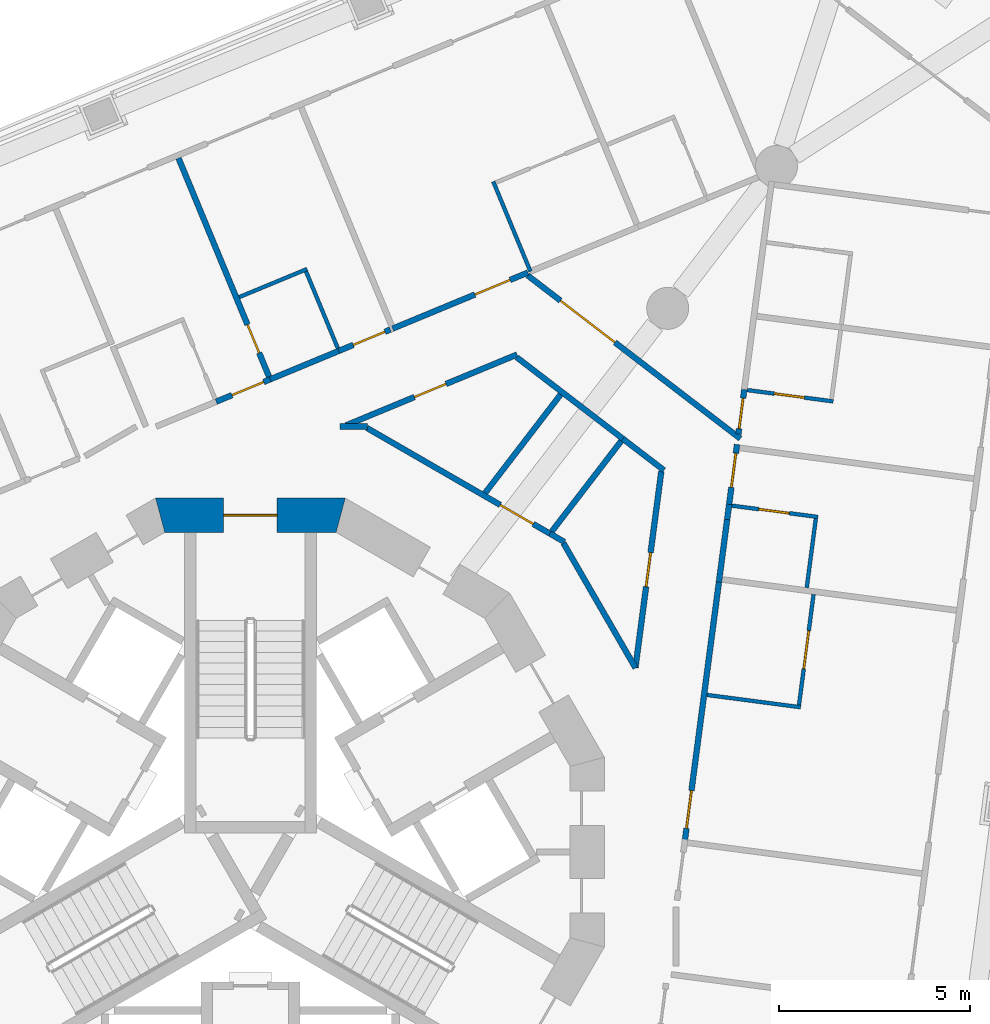
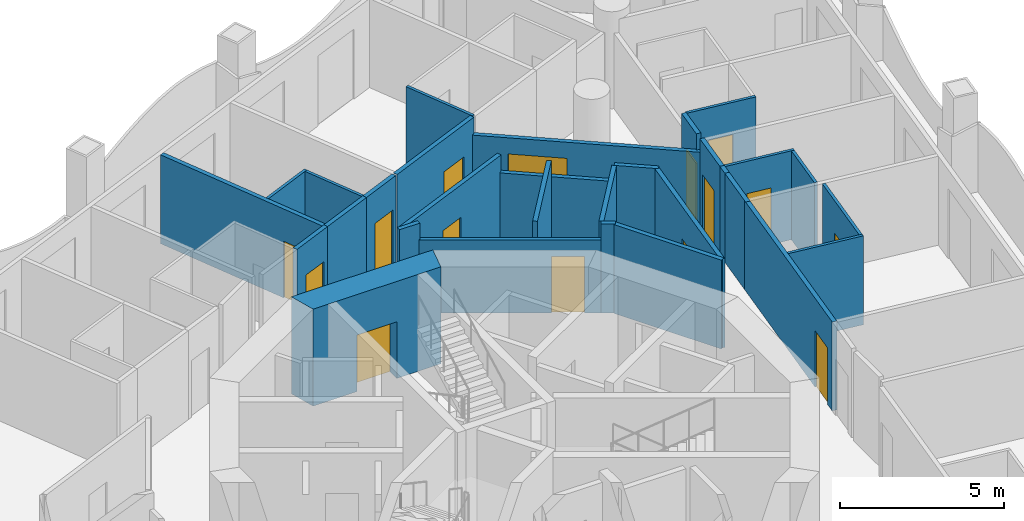
# One storey, part 9 of 17: 30 walls, 15 doors, 15 openings.
"""IFC4 building model written with IfcOpenShell, lengths in metres."""

from ifc_helpers import new_model, si_unit, direction, frame, frame_2d, origin, place, context, subcontext, project, spatial, polyline, rectangle, outline, extrude, material, layer, layer_set, type_object, element, fill, save


model = new_model("IFC4")

# Units and contexts
model_context = context("Model", 3, precision=1e-05, world=origin(), true_north=direction((0.0, 1.0)))
body_context = subcontext(model_context, "Body", "Model", "MODEL_VIEW")
ifc_project = project(units=[si_unit("LENGTHUNIT", "METRE"), si_unit("AREAUNIT", "SQUARE_METRE"), si_unit("VOLUMEUNIT", "CUBIC_METRE"), si_unit("PLANEANGLEUNIT", "RADIAN"), si_unit("MASSUNIT", "GRAM", prefix="KILO")], contexts=[model_context])

# Site, building, storey
site_placement = place(None, origin())
site = spatial("IfcSite", under=ifc_project, at=site_placement, CompositionType="ELEMENT")
building_placement = place(site_placement, origin())
building = spatial("IfcBuilding", under=site, at=building_placement, Name="Trine Commons Tower", CompositionType="ELEMENT")
storey_placement = place(building_placement, frame((0.0, 0.0, 138.60009765625)))
storey = spatial("IfcBuildingStorey", under=building, at=storey_placement, Name="L35", CompositionType="ELEMENT", Elevation=138.60009765625)

# Wall, opening, door
ifc_material_1 = material(Name="Concrete C70/85", Category="concrete")
ifc_layer_1 = layer(ifc_material_1, 0.89990234375)
ifc_layer_set_1 = layer_set([ifc_layer_1], Name="Concrete C70/85")
wall_type_1 = type_object("IfcWallType", Name="RC shear wall 900 mm, C70/85", PredefinedType="SHEAR", material=ifc_layer_set_1)
wall_1_placement = place(storey_placement, frame((82.484619140625, 71.322998046875, 0.0), z_axis=(0.0, 0.0, 1.0), x_axis=(-1.0, 0.0, 0.0)))
wall_1 = element("IfcWall", 1, at=wall_1_placement, inside=storey, type_object=wall_type_1, Name="Core wall CWD-04 L35", PredefinedType="SHEAR", context=body_context, shape_type="SweptSolid", body=[
    extrude(outline(polyline([(0.0, -0.449951171875), (4.969482421875, -0.449951171875), (4.728271484375, 0.449951171875), (0.2412109375, 0.449951171875), (0.0, -0.449951171875)])), origin(), (0.0, 0.0, 1.0), 3.599853515625),
])
opening_1_placement = place(wall_1_placement, frame((1.78466796875, 0.0, 0.0)))
opening_1 = element("IfcOpeningElement", 2, at=opening_1_placement, cuts=wall_1, Name="Opening K10.01", PredefinedType="OPENING", context=body_context, shape_type="SweptSolid", body=[
    extrude(rectangle(XDim=1.39990234375, YDim=2.10009765625, at=frame_2d((0.699951171875, 1.050048828125))), frame((0.0, 0.4599609375, 0.0), z_axis=(0.0, -1.0, 0.0), x_axis=(1.0, 0.0, 0.0)), (0.0, 0.0, 1.0), 0.919921875),
])
ifc_material_2 = material(Name="Steel door leaves, fire-rated", Category="steel")
door_type_1 = type_object("IfcDoorType", Name="Stair door, double leaf 1400 x 2100, FD90", OperationType="DOUBLE_DOOR_SINGLE_SWING", PredefinedType="DOOR", material=ifc_material_2)
door_1_placement = place(opening_1_placement, origin())
door_1 = element("IfcDoor", 3, at=door_1_placement, inside=storey, type_object=door_type_1, Name="Stair door to Exit stair ST1B L35", OperationType="DOUBLE_DOOR_SINGLE_SWING", OverallHeight=2.10009765625, OverallWidth=1.39990234375, PredefinedType="DOOR", context=body_context, shape_type="SweptSolid", body=[
    extrude(rectangle(XDim=1.39990234375, YDim=2.10009765625, at=frame_2d((0.699951171875, 1.050048828125))), frame((0.0, 0.02490234375, 0.0), z_axis=(0.0, -1.0, 0.0), x_axis=(1.0, 0.0, 0.0)), (0.0, 0.0, 1.0), 0.050048828125),
])
fill(opening_1, door_1)

ifc_material_3 = material(Name="Gypsum plasterboard on steel stud", Category="steel")
ifc_layer_2 = layer(ifc_material_3, 0.14990234375)
ifc_layer_set_2 = layer_set([ifc_layer_2], Name="Gypsum plasterboard on steel stud")
wall_type_2 = type_object("IfcWallType", Name="Unit and corridor wall 150 mm, EI 60", PredefinedType="PARTITIONING", material=ifc_layer_set_2)
wall_2_placement = place(storey_placement, frame((78.1171875, 80.676025390625, 0.0), z_axis=(0.0, 0.0, 1.0), x_axis=(0.382656755178, -0.923890582113, 0.0)))
wall_2 = element("IfcWall", 4, at=wall_2_placement, inside=storey, type_object=wall_type_2, Name="Partition 067", PredefinedType="PARTITIONING", context=body_context, shape_type="SweptSolid", body=[
    extrude(rectangle(XDim=6.26904296875, YDim=0.14990234375, at=frame_2d((3.134521484375, 0.0))), origin(), (0.0, 0.0, 1.0), 3.2998046875),
])
opening_2_placement = place(wall_2_placement, frame((4.718994140625, 0.0, 0.0)))
opening_2 = element("IfcOpeningElement", 5, at=opening_2_placement, cuts=wall_2, Name="Opening D-4B41", PredefinedType="OPENING", context=body_context, shape_type="SweptSolid", body=[
    extrude(rectangle(XDim=0.800048828125, YDim=2.10009765625, at=frame_2d((0.39990234375, 1.050048828125))), frame((0.0, 0.0849609375, 0.0), z_axis=(0.0, -1.0, 0.0), x_axis=(1.0, 0.0, 0.0)), (0.0, 0.0, 1.0), 0.169921875),
])
ifc_material_4 = material(Name="Painted timber", Category="wood")
door_type_2 = type_object("IfcDoorType", Name="Internal door 800 x 2100, NOT RATED", OperationType="NOTDEFINED", PredefinedType="DOOR", material=ifc_material_4)
door_2_placement = place(opening_2_placement, frame((0.800048828125, 0.0, 0.0), z_axis=(0.0, 0.0, 1.0), x_axis=(-1.0, 0.0, 0.0)))
door_2 = element("IfcDoor", 6, at=door_2_placement, inside=storey, type_object=door_type_2, Name="Door D-4B41", OperationType="SINGLE_SWING_LEFT", OverallHeight=2.10009765625, OverallWidth=0.800048828125, PredefinedType="DOOR", context=body_context, shape_type="SweptSolid", body=[
    extrude(rectangle(XDim=0.800048828125, YDim=2.10009765625, at=frame_2d((0.39990234375, 1.050048828125))), frame((0.0, 0.02490234375, 0.0), z_axis=(0.0, -1.0, 0.0), x_axis=(1.0, 0.0, 0.0)), (0.0, 0.0, 1.0), 0.050048828125),
])
fill(opening_2, door_2)

wall_3_placement = place(storey_placement, frame((79.10205078125, 74.298095703125, 0.0), z_axis=(0.0, 0.0, 1.0), x_axis=(0.923753093183, 0.382988541389, 0.0)))
wall_3 = element("IfcWall", 7, at=wall_3_placement, inside=storey, type_object=wall_type_2, Name="Partition 070", PredefinedType="PARTITIONING", context=body_context, shape_type="SweptSolid", body=[
    extrude(rectangle(XDim=1.534912109375, YDim=0.14990234375, at=frame_2d((0.767578125, 0.0))), origin(), (0.0, 0.0, 1.0), 3.2998046875),
])
opening_3_placement = place(wall_3_placement, frame((0.447998046875, 0.0, 0.0)))
opening_3 = element("IfcOpeningElement", 8, at=opening_3_placement, cuts=wall_3, Name="Opening D-4B09", PredefinedType="OPENING", context=body_context, shape_type="SweptSolid", body=[
    extrude(rectangle(XDim=0.89990234375, YDim=2.10009765625, at=frame_2d((0.449951171875, 1.050048828125))), frame((0.0, 0.0849609375, 0.0), z_axis=(0.0, -1.0, 0.0), x_axis=(1.0, 0.0, 0.0)), (0.0, 0.0, 1.0), 0.169921875),
])
ifc_material_5 = material(Name="Timber fire door set", Category="wood")
door_type_3 = type_object("IfcDoorType", Name="Bedroom door 900 x 2100, FD30S", OperationType="NOTDEFINED", PredefinedType="DOOR", material=ifc_material_5)
door_3_placement = place(opening_3_placement, origin())
door_3 = element("IfcDoor", 9, at=door_3_placement, inside=storey, type_object=door_type_3, Name="Door D-4B09", OperationType="SINGLE_SWING_RIGHT", OverallHeight=2.10009765625, OverallWidth=0.89990234375, PredefinedType="DOOR", context=body_context, shape_type="SweptSolid", body=[
    extrude(rectangle(XDim=0.89990234375, YDim=2.10009765625, at=frame_2d((0.449951171875, 1.050048828125))), frame((0.0, 0.02490234375, 0.0), z_axis=(0.0, -1.0, 0.0), x_axis=(1.0, 0.0, 0.0)), (0.0, 0.0, 1.0), 0.050048828125),
])
fill(opening_3, door_3)

# Wall
wall_4_placement = place(storey_placement, frame((80.511962890625, 74.882080078125, 0.0), z_axis=(0.0, 0.0, 1.0), x_axis=(0.923847984022, 0.382759588277, 0.0)))
element("IfcWall", 10, at=wall_4_placement, inside=storey, type_object=wall_type_2, Name="Partition 074", PredefinedType="PARTITIONING", context=body_context, shape_type="SweptSolid", body=[
    extrude(rectangle(XDim=2.00927734375, YDim=0.14990234375, at=frame_2d((1.004638671875, 0.0))), origin(), (0.0, 0.0, 1.0), 3.2998046875),
])

# Wall, opening, door
wall_5_placement = place(storey_placement, frame((82.31494140625, 75.62890625, 0.0), z_axis=(0.0, 0.0, 1.0), x_axis=(0.923733456716, 0.383035900332, 0.0)))
wall_5 = element("IfcWall", 11, at=wall_5_placement, inside=storey, type_object=wall_type_2, Name="Partition 079", PredefinedType="PARTITIONING", context=body_context, shape_type="SweptSolid", body=[
    extrude(rectangle(XDim=1.460205078125, YDim=0.14990234375, at=frame_2d((0.72998046875, 0.0))), origin(), (0.0, 0.0, 1.0), 3.2998046875),
])
opening_4_placement = place(wall_5_placement, frame((0.41015625, 0.0, 0.0)))
opening_4 = element("IfcOpeningElement", 12, at=opening_4_placement, cuts=wall_5, Name="Opening D-4B10", PredefinedType="OPENING", context=body_context, shape_type="SweptSolid", body=[
    extrude(rectangle(XDim=0.89990234375, YDim=2.10009765625, at=frame_2d((0.449951171875, 1.050048828125))), frame((0.0, 0.0849609375, 0.0), z_axis=(0.0, -1.0, 0.0), x_axis=(1.0, 0.0, 0.0)), (0.0, 0.0, 1.0), 0.169921875),
])
door_4_placement = place(opening_4_placement, origin())
door_4 = element("IfcDoor", 13, at=door_4_placement, inside=storey, type_object=door_type_3, Name="Door D-4B10", OperationType="SINGLE_SWING_RIGHT", OverallHeight=2.10009765625, OverallWidth=0.89990234375, PredefinedType="DOOR", context=body_context, shape_type="SweptSolid", body=[
    extrude(rectangle(XDim=0.89990234375, YDim=2.10009765625, at=frame_2d((0.449951171875, 1.050048828125))), frame((0.0, 0.02490234375, 0.0), z_axis=(0.0, -1.0, 0.0), x_axis=(1.0, 0.0, 0.0)), (0.0, 0.0, 1.0), 0.050048828125),
])
fill(opening_4, door_4)

# Wall
wall_6_placement = place(storey_placement, frame((82.35205078125, 73.64794921875, 0.0), z_axis=(0.0, 0.0, 1.0), x_axis=(1.0, 0.0, 0.0)))
element("IfcWall", 14, at=wall_6_placement, inside=storey, type_object=wall_type_2, Name="Partition 080", PredefinedType="PARTITIONING", context=body_context, shape_type="SweptSolid", body=[
    extrude(rectangle(XDim=0.7099609375, YDim=0.14990234375, at=frame_2d((0.35498046875, 0.0))), origin(), (0.0, 0.0, 1.0), 3.2998046875),
])

# Wall, opening, door
wall_7_placement = place(storey_placement, frame((82.500244140625, 73.6767578125, 0.0), z_axis=(0.0, 0.0, 1.0), x_axis=(0.923900404771, 0.382633038384, 0.0)))
wall_7 = element("IfcWall", 15, at=wall_7_placement, inside=storey, type_object=wall_type_2, Name="Partition 081", PredefinedType="PARTITIONING", context=body_context, shape_type="SweptSolid", body=[
    extrude(rectangle(XDim=4.855712890625, YDim=0.14990234375, at=frame_2d((2.427734375, 0.0))), origin(), (0.0, 0.0, 1.0), 3.2998046875),
])
opening_5_placement = place(wall_7_placement, frame((1.940185546875, 0.0, 0.0)))
opening_5 = element("IfcOpeningElement", 16, at=opening_5_placement, cuts=wall_7, Name="Opening D-4B31", PredefinedType="OPENING", context=body_context, shape_type="SweptSolid", body=[
    extrude(rectangle(XDim=0.89990234375, YDim=2.10009765625, at=frame_2d((0.449951171875, 1.050048828125))), frame((0.0, 0.0849609375, 0.0), z_axis=(0.0, -1.0, 0.0), x_axis=(1.0, 0.0, 0.0)), (0.0, 0.0, 1.0), 0.169921875),
])
door_type_4 = type_object("IfcDoorType", Name="Service door 900 x 2100, FD30S", OperationType="NOTDEFINED", PredefinedType="DOOR", material=ifc_material_5)
door_5_placement = place(opening_5_placement, frame((0.89990234375, 0.0, 0.0), z_axis=(0.0, 0.0, 1.0), x_axis=(-1.0, 0.0, 0.0)))
door_5 = element("IfcDoor", 17, at=door_5_placement, inside=storey, type_object=door_type_4, Name="Door D-4B31", OperationType="SINGLE_SWING_RIGHT", OverallHeight=2.10009765625, OverallWidth=0.89990234375, PredefinedType="DOOR", context=body_context, shape_type="SweptSolid", body=[
    extrude(rectangle(XDim=0.89990234375, YDim=2.10009765625, at=frame_2d((0.449951171875, 1.050048828125))), frame((0.0, 0.02490234375, 0.0), z_axis=(0.0, -1.0, 0.0), x_axis=(1.0, 0.0, 0.0)), (0.0, 0.0, 1.0), 0.050048828125),
])
fill(opening_5, door_5)

wall_8_placement = place(storey_placement, frame((83.052001953125, 73.610595703125, 0.0), z_axis=(0.0, 0.0, 1.0), x_axis=(0.866011740381, -0.500023664962, 0.0)))
wall_8 = element("IfcWall", 18, at=wall_8_placement, inside=storey, type_object=wall_type_2, Name="Partition 084", PredefinedType="PARTITIONING", context=body_context, shape_type="SweptSolid", body=[
    extrude(rectangle(XDim=5.542724609375, YDim=0.14990234375, at=frame_2d((2.771484375, 0.0))), origin(), (0.0, 0.0, 1.0), 2.699951171875),
])
opening_6_placement = place(wall_8_placement, frame((4.030517578125, 0.0, 0.0)))
opening_6 = element("IfcOpeningElement", 19, at=opening_6_placement, cuts=wall_8, Name="Opening D-4B35", PredefinedType="OPENING", context=body_context, shape_type="SweptSolid", body=[
    extrude(rectangle(XDim=1.0, YDim=2.10009765625, at=frame_2d((0.5, 1.050048828125))), frame((0.0, 0.0849609375, 0.0), z_axis=(0.0, -1.0, 0.0), x_axis=(1.0, 0.0, 0.0)), (0.0, 0.0, 1.0), 0.169921875),
])
door_type_5 = type_object("IfcDoorType", Name="Toilet door 1000 x 2100, NOT RATED", OperationType="NOTDEFINED", PredefinedType="DOOR", material=ifc_material_4)
door_6_placement = place(opening_6_placement, origin())
door_6 = element("IfcDoor", 20, at=door_6_placement, inside=storey, type_object=door_type_5, Name="Door D-4B35", OperationType="SINGLE_SWING_RIGHT", OverallHeight=2.10009765625, OverallWidth=1.0, PredefinedType="DOOR", context=body_context, shape_type="SweptSolid", body=[
    extrude(rectangle(XDim=1.0, YDim=2.10009765625, at=frame_2d((0.5, 1.050048828125))), frame((0.0, 0.02490234375, 0.0), z_axis=(0.0, -1.0, 0.0), x_axis=(1.0, 0.0, 0.0)), (0.0, 0.0, 1.0), 0.050048828125),
])
fill(opening_6, door_6)

wall_9_placement = place(storey_placement, frame((83.72509765625, 76.212890625, 0.0), z_axis=(0.0, 0.0, 1.0), x_axis=(0.923815133711, 0.382838867838, 0.0)))
wall_9 = element("IfcWall", 21, at=wall_9_placement, inside=storey, type_object=wall_type_2, Name="Partition 087", PredefinedType="PARTITIONING", context=body_context, shape_type="SweptSolid", body=[
    extrude(rectangle(XDim=3.83642578125, YDim=0.14990234375, at=frame_2d((1.918212890625, 0.0))), origin(), (0.0, 0.0, 1.0), 3.2998046875),
])
opening_7_placement = place(wall_9_placement, frame((2.332275390625, 0.0, 0.0)))
opening_7 = element("IfcOpeningElement", 22, at=opening_7_placement, cuts=wall_9, Name="Opening D-4B11", PredefinedType="OPENING", context=body_context, shape_type="SweptSolid", body=[
    extrude(rectangle(XDim=1.0, YDim=2.10009765625, at=frame_2d((0.5, 1.050048828125))), frame((0.0, 0.0849609375, 0.0), z_axis=(0.0, -1.0, 0.0), x_axis=(1.0, 0.0, 0.0)), (0.0, 0.0, 1.0), 0.169921875),
])
door_type_6 = type_object("IfcDoorType", Name="Bedroom door 1000 x 2100, FD30S", OperationType="NOTDEFINED", PredefinedType="DOOR", material=ifc_material_5)
door_7_placement = place(opening_7_placement, origin())
door_7 = element("IfcDoor", 23, at=door_7_placement, inside=storey, type_object=door_type_6, Name="Door D-4B11", OperationType="SINGLE_SWING_RIGHT", OverallHeight=2.10009765625, OverallWidth=1.0, PredefinedType="DOOR", context=body_context, shape_type="SweptSolid", body=[
    extrude(rectangle(XDim=1.0, YDim=2.10009765625, at=frame_2d((0.5, 1.050048828125))), frame((0.0, 0.02490234375, 0.0), z_axis=(0.0, -1.0, 0.0), x_axis=(1.0, 0.0, 0.0)), (0.0, 0.0, 1.0), 0.050048828125),
])
fill(opening_7, door_7)

# Walls
wall_10_placement = place(storey_placement, frame((86.147705078125, 71.908447265625, 0.0), z_axis=(0.0, 0.0, 1.0), x_axis=(0.608765985087, 0.793349844269, 0.0)))
element("IfcWall", 24, at=wall_10_placement, inside=storey, type_object=wall_type_2, Name="Partition 093", PredefinedType="PARTITIONING", context=body_context, shape_type="SweptSolid", body=[
    extrude(rectangle(XDim=3.24853515625, YDim=0.14990234375, at=frame_2d((1.624267578125, 0.0))), origin(), (0.0, 0.0, 1.0), 3.2998046875),
])
wall_11_placement = place(storey_placement, frame((86.9765625, 75.460205078125, 0.0), z_axis=(0.0, 0.0, 1.0), x_axis=(0.793436349507, -0.608653234018, 0.0)))
element("IfcWall", 25, at=wall_11_placement, inside=storey, type_object=wall_type_2, Name="Partition 096", PredefinedType="PARTITIONING", context=body_context, shape_type="SweptSolid", body=[
    extrude(rectangle(XDim=3.583251953125, YDim=0.14990234375, at=frame_2d((1.79150390625, 0.0))), origin(), (0.0, 0.0, 1.0), 2.699951171875),
])

# Wall, opening, door
wall_12_placement = place(storey_placement, frame((87.259521484375, 77.607421875, 0.0), z_axis=(0.0, 0.0, 1.0), x_axis=(0.79336631803, -0.608744515718, 0.0)))
wall_12 = element("IfcWall", 26, at=wall_12_placement, inside=storey, type_object=wall_type_2, Name="Partition 097", PredefinedType="PARTITIONING", context=body_context, shape_type="SweptSolid", body=[
    extrude(rectangle(XDim=7.0244140625, YDim=0.14990234375, at=frame_2d((3.51220703125, 0.0))), origin(), (0.0, 0.0, 1.0), 2.699951171875),
])
opening_8_placement = place(wall_12_placement, frame((1.086181640625, 0.0, 0.0)))
opening_8 = element("IfcOpeningElement", 27, at=opening_8_placement, cuts=wall_12, Name="Opening D-4B01", PredefinedType="OPENING", context=body_context, shape_type="SweptSolid", body=[
    extrude(rectangle(XDim=1.800048828125, YDim=2.10009765625, at=frame_2d((0.89990234375, 1.050048828125))), frame((0.0, 0.0849609375, 0.0), z_axis=(0.0, -1.0, 0.0), x_axis=(1.0, 0.0, 0.0)), (0.0, 0.0, 1.0), 0.169921875),
])
door_type_7 = type_object("IfcDoorType", Name="Cluster entrance door 1800 x 2100, double leaf, FD30S", OperationType="DOUBLE_DOOR_DOUBLE_SWING", PredefinedType="DOOR", material=ifc_material_5)
door_8_placement = place(opening_8_placement, origin())
door_8 = element("IfcDoor", 28, at=door_8_placement, inside=storey, type_object=door_type_7, Name="Door D-4B01", OperationType="DOUBLE_DOOR_DOUBLE_SWING", OverallHeight=2.10009765625, OverallWidth=1.800048828125, PredefinedType="DOOR", context=body_context, shape_type="SweptSolid", body=[
    extrude(rectangle(XDim=1.800048828125, YDim=2.10009765625, at=frame_2d((0.89990234375, 1.050048828125))), frame((0.0, 0.02490234375, 0.0), z_axis=(0.0, -1.0, 0.0), x_axis=(1.0, 0.0, 0.0)), (0.0, 0.0, 1.0), 0.050048828125),
])
fill(opening_8, door_8)

# Walls
wall_13_placement = place(storey_placement, frame((87.845947265625, 70.843017578125, 0.0), z_axis=(0.0, 0.0, 1.0), x_axis=(0.86587042983, -0.500268326746, 0.0)))
element("IfcWall", 29, at=wall_13_placement, inside=storey, type_object=wall_type_2, Name="Partition 103", PredefinedType="PARTITIONING", context=body_context, shape_type="SweptSolid", body=[
    extrude(rectangle(XDim=0.438720703125, YDim=0.14990234375, at=frame_2d((0.21923828125, 0.0))), origin(), (0.0, 0.0, 1.0), 3.2998046875),
])
wall_14_placement = place(storey_placement, frame((87.894775390625, 70.900390625, 0.0), z_axis=(0.0, 0.0, 1.0), x_axis=(0.608761301523, 0.793353438114, 0.0)))
element("IfcWall", 30, at=wall_14_placement, inside=storey, type_object=wall_type_2, Name="Partition 104", PredefinedType="PARTITIONING", context=body_context, shape_type="SweptSolid", body=[
    extrude(rectangle(XDim=2.98388671875, YDim=0.14990234375, at=frame_2d((1.491943359375, 0.0))), origin(), (0.0, 0.0, 1.0), 3.2998046875),
])
wall_15_placement = place(storey_placement, frame((88.198486328125, 70.595947265625, 0.0), z_axis=(0.0, 0.0, 1.0), x_axis=(0.499871635049, -0.86609950264, 0.0)))
element("IfcWall", 31, at=wall_15_placement, inside=storey, type_object=wall_type_2, Name="Partition 106", PredefinedType="PARTITIONING", context=body_context, shape_type="SweptSolid", body=[
    extrude(rectangle(XDim=3.77783203125, YDim=0.14990234375, at=frame_2d((1.888916015625, 0.0))), origin(), (0.0, 0.0, 1.0), 3.2998046875),
])
wall_16_placement = place(storey_placement, frame((89.75390625, 73.3291015625, 0.0), z_axis=(0.0, 0.0, 1.0), x_axis=(0.793704663206, -0.608303302313, 0.0)))
element("IfcWall", 32, at=wall_16_placement, inside=storey, type_object=wall_type_2, Name="Partition 116", PredefinedType="PARTITIONING", context=body_context, shape_type="SweptSolid", body=[
    extrude(rectangle(XDim=1.35888671875, YDim=0.14990234375, at=frame_2d((0.679443359375, 0.0))), origin(), (0.0, 0.0, 1.0), 3.2998046875),
])

# Wall, opening, door
wall_17_placement = place(storey_placement, frame((90.0849609375, 67.326904296875, 0.0), z_axis=(0.0, 0.0, 1.0), x_axis=(0.130647942506, 0.991428825039, 0.0)))
wall_17 = element("IfcWall", 33, at=wall_17_placement, inside=storey, type_object=wall_type_2, Name="Partition 119", PredefinedType="PARTITIONING", context=body_context, shape_type="SweptSolid", body=[
    extrude(rectangle(XDim=5.191162109375, YDim=0.14990234375, at=frame_2d((2.595703125, 0.0))), origin(), (0.0, 0.0, 1.0), 3.2998046875),
])
opening_9_placement = place(wall_17_placement, frame((2.1455078125, 0.0, 0.0)))
opening_9 = element("IfcOpeningElement", 34, at=opening_9_placement, cuts=wall_17, Name="Opening D-4B32", PredefinedType="OPENING", context=body_context, shape_type="SweptSolid", body=[
    extrude(rectangle(XDim=0.89990234375, YDim=2.10009765625, at=frame_2d((0.449951171875, 1.050048828125))), frame((0.0, 0.0849609375, 0.0), z_axis=(0.0, -1.0, 0.0), x_axis=(1.0, 0.0, 0.0)), (0.0, 0.0, 1.0), 0.169921875),
])
door_9_placement = place(opening_9_placement, origin())
door_9 = element("IfcDoor", 35, at=door_9_placement, inside=storey, type_object=door_type_4, Name="Door D-4B32", OperationType="SINGLE_SWING_LEFT", OverallHeight=2.10009765625, OverallWidth=0.89990234375, PredefinedType="DOOR", context=body_context, shape_type="SweptSolid", body=[
    extrude(rectangle(XDim=0.89990234375, YDim=2.10009765625, at=frame_2d((0.449951171875, 1.050048828125))), frame((0.0, 0.02490234375, 0.0), z_axis=(0.0, -1.0, 0.0), x_axis=(1.0, 0.0, 0.0)), (0.0, 0.0, 1.0), 0.050048828125),
])
fill(opening_9, door_9)

wall_18_placement = place(storey_placement, frame((91.3740234375, 62.751953125, 0.0), z_axis=(0.0, 0.0, 1.0), x_axis=(0.130544309052, 0.991442476079, 0.0)))
wall_18 = element("IfcWall", 36, at=wall_18_placement, inside=storey, type_object=wall_type_2, Name="Partition 127", PredefinedType="PARTITIONING", context=body_context, shape_type="SweptSolid", body=[
    extrude(rectangle(XDim=6.962646484375, YDim=0.14990234375, at=frame_2d((3.4814453125, 0.0))), origin(), (0.0, 0.0, 1.0), 3.2998046875),
])
opening_10_placement = place(wall_18_placement, frame((0.371826171875, 0.0, 0.0)))
opening_10 = element("IfcOpeningElement", 37, at=opening_10_placement, cuts=wall_18, Name="Opening D-4B16", PredefinedType="OPENING", context=body_context, shape_type="SweptSolid", body=[
    extrude(rectangle(XDim=1.0, YDim=2.10009765625, at=frame_2d((0.5, 1.050048828125))), frame((0.0, 0.0849609375, 0.0), z_axis=(0.0, -1.0, 0.0), x_axis=(1.0, 0.0, 0.0)), (0.0, 0.0, 1.0), 0.169921875),
])
door_10_placement = place(opening_10_placement, frame((1.0, 0.0, 0.0), z_axis=(0.0, 0.0, 1.0), x_axis=(-1.0, 0.0, 0.0)))
door_10 = element("IfcDoor", 38, at=door_10_placement, inside=storey, type_object=door_type_6, Name="Door D-4B16", OperationType="SINGLE_SWING_RIGHT", OverallHeight=2.10009765625, OverallWidth=1.0, PredefinedType="DOOR", context=body_context, shape_type="SweptSolid", body=[
    extrude(rectangle(XDim=1.0, YDim=2.10009765625, at=frame_2d((0.5, 1.050048828125))), frame((0.0, 0.02490234375, 0.0), z_axis=(0.0, -1.0, 0.0), x_axis=(1.0, 0.0, 0.0)), (0.0, 0.0, 1.0), 0.050048828125),
])
fill(opening_10, door_10)

# Walls
wall_19_placement = place(storey_placement, frame((92.272216796875, 69.572509765625, 0.0), z_axis=(0.0, 0.0, 1.0), x_axis=(0.130269397931, 0.991478635152, 0.0)))
element("IfcWall", 39, at=wall_19_placement, inside=storey, type_object=wall_type_2, Name="Partition 132", PredefinedType="PARTITIONING", context=body_context, shape_type="SweptSolid", body=[
    extrude(rectangle(XDim=1.671630859375, YDim=0.14990234375, at=frame_2d((0.8359375, 0.0))), origin(), (0.0, 0.0, 1.0), 3.2998046875),
])
wall_20_placement = place(storey_placement, frame((92.487548828125, 71.211181640625, 0.0), z_axis=(0.0, 0.0, 1.0), x_axis=(0.129965201462, 0.991518555756, 0.0)))
element("IfcWall", 40, at=wall_20_placement, inside=storey, type_object=wall_type_2, Name="Partition 135", PredefinedType="PARTITIONING", context=body_context, shape_type="SweptSolid", body=[
    extrude(rectangle(XDim=0.400146484375, YDim=0.14990234375, at=frame_2d((0.2001953125, 0.0))), origin(), (0.0, 0.0, 1.0), 3.2998046875),
])

# Wall, opening, door
wall_21_placement = place(storey_placement, frame((92.529541015625, 71.531494140625, 0.0), z_axis=(0.0, 0.0, 1.0), x_axis=(0.130872922732, 0.991399151752, 0.0)))
wall_21 = element("IfcWall", 41, at=wall_21_placement, inside=storey, type_object=wall_type_2, Name="Partition 136", PredefinedType="PARTITIONING", context=body_context, shape_type="SweptSolid", body=[
    extrude(rectangle(XDim=1.66015625, YDim=0.14990234375, at=frame_2d((0.830078125, 0.0))), origin(), (0.0, 0.0, 1.0), 3.2998046875),
])
opening_11_placement = place(wall_21_placement, frame((0.53125, 0.0, 0.0)))
opening_11 = element("IfcOpeningElement", 42, at=opening_11_placement, cuts=wall_21, Name="Opening D-4B15", PredefinedType="OPENING", context=body_context, shape_type="SweptSolid", body=[
    extrude(rectangle(XDim=0.89990234375, YDim=2.10009765625, at=frame_2d((0.449951171875, 1.050048828125))), frame((0.0, 0.0849609375, 0.0), z_axis=(0.0, -1.0, 0.0), x_axis=(1.0, 0.0, 0.0)), (0.0, 0.0, 1.0), 0.169921875),
])
door_11_placement = place(opening_11_placement, frame((0.89990234375, 0.0, 0.0), z_axis=(0.0, 0.0, 1.0), x_axis=(-1.0, 0.0, 0.0)))
door_11 = element("IfcDoor", 43, at=door_11_placement, inside=storey, type_object=door_type_3, Name="Door D-4B15", OperationType="SINGLE_SWING_LEFT", OverallHeight=2.10009765625, OverallWidth=0.89990234375, PredefinedType="DOOR", context=body_context, shape_type="SweptSolid", body=[
    extrude(rectangle(XDim=0.89990234375, YDim=2.10009765625, at=frame_2d((0.449951171875, 1.050048828125))), frame((0.0, 0.02490234375, 0.0), z_axis=(0.0, -1.0, 0.0), x_axis=(1.0, 0.0, 0.0)), (0.0, 0.0, 1.0), 0.050048828125),
])
fill(opening_11, door_11)

wall_22_placement = place(storey_placement, frame((92.78271484375, 73.451416015625, 0.0), z_axis=(0.0, 0.0, 1.0), x_axis=(0.130422279171, 0.991458536246, 0.0)))
wall_22 = element("IfcWall", 44, at=wall_22_placement, inside=storey, type_object=wall_type_2, Name="Partition 139", PredefinedType="PARTITIONING", context=body_context, shape_type="SweptSolid", body=[
    extrude(rectangle(XDim=1.175537109375, YDim=0.14990234375, at=frame_2d((0.587890625, 0.0))), origin(), (0.0, 0.0, 1.0), 3.2998046875),
])
opening_12_placement = place(wall_22_placement, frame((0.1435546875, 0.0, 0.0)))
opening_12 = element("IfcOpeningElement", 45, at=opening_12_placement, cuts=wall_22, Name="Opening D-4B14", PredefinedType="OPENING", context=body_context, shape_type="SweptSolid", body=[
    extrude(rectangle(XDim=0.800048828125, YDim=2.10009765625, at=frame_2d((0.39990234375, 1.050048828125))), frame((0.0, 0.0849609375, 0.0), z_axis=(0.0, -1.0, 0.0), x_axis=(1.0, 0.0, 0.0)), (0.0, 0.0, 1.0), 0.169921875),
])
door_type_8 = type_object("IfcDoorType", Name="Bedroom door 800 x 2100, FD30S", OperationType="NOTDEFINED", PredefinedType="DOOR", material=ifc_material_5)
door_12_placement = place(opening_12_placement, frame((0.800048828125, 0.0, 0.0), z_axis=(0.0, 0.0, 1.0), x_axis=(-1.0, 0.0, 0.0)))
door_12 = element("IfcDoor", 46, at=door_12_placement, inside=storey, type_object=door_type_8, Name="Door D-4B14", OperationType="SINGLE_SWING_RIGHT", OverallHeight=2.10009765625, OverallWidth=0.800048828125, PredefinedType="DOOR", context=body_context, shape_type="SweptSolid", body=[
    extrude(rectangle(XDim=0.800048828125, YDim=2.10009765625, at=frame_2d((0.39990234375, 1.050048828125))), frame((0.0, 0.02490234375, 0.0), z_axis=(0.0, -1.0, 0.0), x_axis=(1.0, 0.0, 0.0)), (0.0, 0.0, 1.0), 0.050048828125),
])
fill(opening_12, door_12)

# Walls
ifc_layer_3 = layer(ifc_material_3, 0.10009765625)
ifc_layer_set_3 = layer_set([ifc_layer_3], Name="Gypsum plasterboard on steel stud")
wall_type_3 = type_object("IfcWallType", Name="Unit partition 100 mm, no rating", PredefinedType="PARTITIONING", material=ifc_layer_set_3)
wall_23_placement = place(storey_placement, frame((79.705322265625, 77.03759765625, 0.0), z_axis=(0.0, 0.0, 1.0), x_axis=(0.923922567399, 0.382579520428, 0.0)))
element("IfcWall", 47, at=wall_23_placement, inside=storey, type_object=wall_type_3, Name="Partition 073", PredefinedType="PARTITIONING", context=body_context, shape_type="SweptSolid", body=[
    extrude(rectangle(XDim=1.92529296875, YDim=0.10009765625, at=frame_2d((0.962646484375, 0.0))), origin(), (0.0, 0.0, 1.0), 3.2998046875),
])
wall_24_placement = place(storey_placement, frame((81.45703125, 77.708740234375, 0.0), z_axis=(0.0, 0.0, 1.0), x_axis=(0.382804678338, -0.923829301463, 0.0)))
element("IfcWall", 48, at=wall_24_placement, inside=storey, type_object=wall_type_3, Name="Partition 077", PredefinedType="PARTITIONING", context=body_context, shape_type="SweptSolid", body=[
    extrude(rectangle(XDim=2.174072265625, YDim=0.10009765625, at=frame_2d((1.0869140625, 0.0))), origin(), (0.0, 0.0, 1.0), 3.2998046875),
])
wall_25_placement = place(storey_placement, frame((86.36083984375, 80.065185546875, 0.0), z_axis=(0.0, 0.0, 1.0), x_axis=(0.382391255341, -0.924000502077, 0.0)))
element("IfcWall", 49, at=wall_25_placement, inside=storey, type_object=wall_type_3, Name="Partition 094", PredefinedType="PARTITIONING", context=body_context, shape_type="SweptSolid", body=[
    extrude(rectangle(XDim=2.550048828125, YDim=0.10009765625, at=frame_2d((1.27490234375, 0.0))), origin(), (0.0, 0.0, 1.0), 3.2998046875),
])
wall_26_placement = place(storey_placement, frame((91.95947265625, 66.6171875, 0.0), z_axis=(0.0, 0.0, 1.0), x_axis=(0.991455638879, -0.130444302806, 0.0)))
element("IfcWall", 50, at=wall_26_placement, inside=storey, type_object=wall_type_3, Name="Partition 130", PredefinedType="PARTITIONING", context=body_context, shape_type="SweptSolid", body=[
    extrude(rectangle(XDim=2.474365234375, YDim=0.10009765625, at=frame_2d((1.2373046875, 0.0))), origin(), (0.0, 0.0, 1.0), 3.2998046875),
])

# Wall, opening, door
wall_27_placement = place(storey_placement, frame((92.611328125, 71.5751953125, 0.0), z_axis=(0.0, 0.0, 1.0), x_axis=(0.991461599928, -0.130398987217, 0.0)))
wall_27 = element("IfcWall", 51, at=wall_27_placement, inside=storey, type_object=wall_type_3, Name="Partition 137", PredefinedType="PARTITIONING", context=body_context, shape_type="SweptSolid", body=[
    extrude(rectangle(XDim=2.27490234375, YDim=0.10009765625, at=frame_2d((1.137451171875, 0.0))), origin(), (0.0, 0.0, 1.0), 3.2998046875),
])
opening_13_placement = place(wall_27_placement, frame((0.71240234375, 0.0, 0.0)))
opening_13 = element("IfcOpeningElement", 52, at=opening_13_placement, cuts=wall_27, Name="Opening D-4B46", PredefinedType="OPENING", context=body_context, shape_type="SweptSolid", body=[
    extrude(rectangle(XDim=0.800048828125, YDim=2.10009765625, at=frame_2d((0.39990234375, 1.050048828125))), frame((0.0, 0.06005859375, 0.0), z_axis=(0.0, -1.0, 0.0), x_axis=(1.0, 0.0, 0.0)), (0.0, 0.0, 1.0), 0.1201171875),
])
door_13_placement = place(opening_13_placement, origin())
door_13 = element("IfcDoor", 53, at=door_13_placement, inside=storey, type_object=door_type_2, Name="Door D-4B46", OperationType="SINGLE_SWING_LEFT", OverallHeight=2.10009765625, OverallWidth=0.800048828125, PredefinedType="DOOR", context=body_context, shape_type="SweptSolid", body=[
    extrude(rectangle(XDim=0.800048828125, YDim=2.10009765625, at=frame_2d((0.39990234375, 1.050048828125))), frame((0.0, 0.02490234375, 0.0), z_axis=(0.0, -1.0, 0.0), x_axis=(1.0, 0.0, 0.0)), (0.0, 0.0, 1.0), 0.050048828125),
])
fill(opening_13, door_13)

wall_28_placement = place(storey_placement, frame((93.010498046875, 74.603271484375, 0.0), z_axis=(0.0, 0.0, 1.0), x_axis=(0.991445890878, -0.130518372124, 0.0)))
wall_28 = element("IfcWall", 54, at=wall_28_placement, inside=storey, type_object=wall_type_3, Name="Partition 141", PredefinedType="PARTITIONING", context=body_context, shape_type="SweptSolid", body=[
    extrude(rectangle(XDim=2.274658203125, YDim=0.10009765625, at=frame_2d((1.13720703125, 0.0))), origin(), (0.0, 0.0, 1.0), 3.2998046875),
])
opening_14_placement = place(wall_28_placement, frame((0.71240234375, 0.0, 0.0)))
opening_14 = element("IfcOpeningElement", 55, at=opening_14_placement, cuts=wall_28, Name="Opening D-4B45", PredefinedType="OPENING", context=body_context, shape_type="SweptSolid", body=[
    extrude(rectangle(XDim=0.800048828125, YDim=2.10009765625, at=frame_2d((0.39990234375, 1.050048828125))), frame((0.0, 0.06005859375, 0.0), z_axis=(0.0, -1.0, 0.0), x_axis=(1.0, 0.0, 0.0)), (0.0, 0.0, 1.0), 0.1201171875),
])
door_14_placement = place(opening_14_placement, frame((0.800048828125, 0.0, 0.0), z_axis=(0.0, 0.0, 1.0), x_axis=(-1.0, 0.0, 0.0)))
door_14 = element("IfcDoor", 56, at=door_14_placement, inside=storey, type_object=door_type_2, Name="Door D-4B45", OperationType="SINGLE_SWING_RIGHT", OverallHeight=2.10009765625, OverallWidth=0.800048828125, PredefinedType="DOOR", context=body_context, shape_type="SweptSolid", body=[
    extrude(rectangle(XDim=0.800048828125, YDim=2.10009765625, at=frame_2d((0.39990234375, 1.050048828125))), frame((0.0, 0.02490234375, 0.0), z_axis=(0.0, -1.0, 0.0), x_axis=(1.0, 0.0, 0.0)), (0.0, 0.0, 1.0), 0.050048828125),
])
fill(opening_14, door_14)

wall_29_placement = place(storey_placement, frame((94.369384765625, 66.3505859375, 0.0), z_axis=(0.0, 0.0, 1.0), x_axis=(0.13054519698, 0.991442359164, 0.0)))
wall_29 = element("IfcWall", 57, at=wall_29_placement, inside=storey, type_object=wall_type_3, Name="Partition 145", PredefinedType="PARTITIONING", context=body_context, shape_type="SweptSolid", body=[
    extrude(rectangle(XDim=2.925048828125, YDim=0.10009765625, at=frame_2d((1.46240234375, 0.0))), origin(), (0.0, 0.0, 1.0), 3.2998046875),
])
opening_15_placement = place(wall_29_placement, frame((0.96240234375, 0.0, 0.0)))
opening_15 = element("IfcOpeningElement", 58, at=opening_15_placement, cuts=wall_29, Name="Opening D-4B47", PredefinedType="OPENING", context=body_context, shape_type="SweptSolid", body=[
    extrude(rectangle(XDim=1.0, YDim=2.10009765625, at=frame_2d((0.5, 1.050048828125))), frame((0.0, 0.06005859375, 0.0), z_axis=(0.0, -1.0, 0.0), x_axis=(1.0, 0.0, 0.0)), (0.0, 0.0, 1.0), 0.1201171875),
])
door_type_9 = type_object("IfcDoorType", Name="Internal door 1000 x 2100, NOT RATED", OperationType="NOTDEFINED", PredefinedType="DOOR", material=ifc_material_4)
door_15_placement = place(opening_15_placement, frame((1.0, 0.0, 0.0), z_axis=(0.0, 0.0, 1.0), x_axis=(-1.0, 0.0, 0.0)))
door_15 = element("IfcDoor", 59, at=door_15_placement, inside=storey, type_object=door_type_9, Name="Door D-4B47", OperationType="SINGLE_SWING_RIGHT", OverallHeight=2.10009765625, OverallWidth=1.0, PredefinedType="DOOR", context=body_context, shape_type="SweptSolid", body=[
    extrude(rectangle(XDim=1.0, YDim=2.10009765625, at=frame_2d((0.5, 1.050048828125))), frame((0.0, 0.02490234375, 0.0), z_axis=(0.0, -1.0, 0.0), x_axis=(1.0, 0.0, 0.0)), (0.0, 0.0, 1.0), 0.050048828125),
])
fill(opening_15, door_15)

# Wall
wall_30_placement = place(storey_placement, frame((94.57275390625, 69.42529296875, 0.0), z_axis=(0.0, 0.0, 1.0), x_axis=(0.130253868076, 0.99148067548, 0.0)))
element("IfcWall", 60, at=wall_30_placement, inside=storey, type_object=wall_type_3, Name="Partition 146", PredefinedType="PARTITIONING", context=body_context, shape_type="SweptSolid", body=[
    extrude(rectangle(XDim=1.82568359375, YDim=0.10009765625, at=frame_2d((0.912841796875, 0.0))), origin(), (0.0, 0.0, 1.0), 3.2998046875),
])

save(model, "model.ifc")
